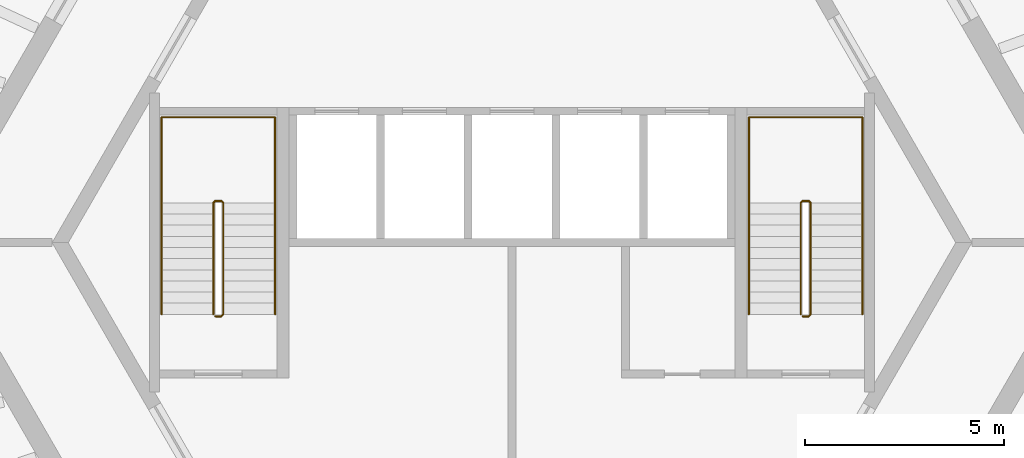
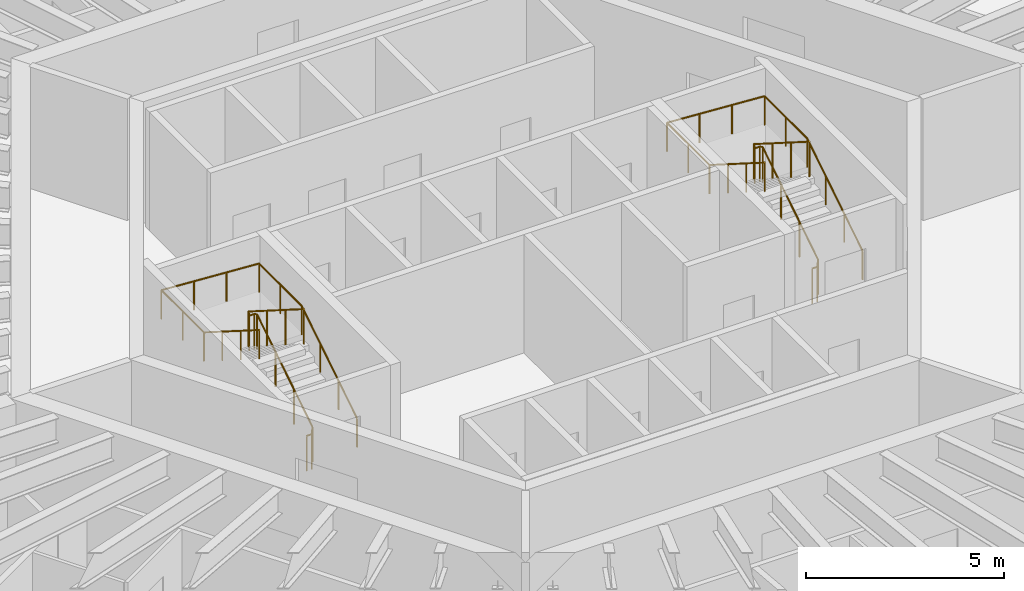
# One storey, part 10 of 10: 4 railings.
"""IFC4 building model written with IfcOpenShell, lengths in metres."""

from ifc_helpers import new_model, si_unit, direction, frame, origin, origin_2d, place, context, subcontext, project, spatial, circle, extrude, material, type_object, element, save


model = new_model("IFC4")

# Units and contexts
model_context = context("Model", 3, precision=1e-05, world=origin(), true_north=direction((0.0, 1.0)))
body_context = subcontext(model_context, "Body", "Model", "MODEL_VIEW")
ifc_project = project(units=[si_unit("LENGTHUNIT", "METRE"), si_unit("AREAUNIT", "SQUARE_METRE"), si_unit("VOLUMEUNIT", "CUBIC_METRE"), si_unit("PLANEANGLEUNIT", "RADIAN"), si_unit("MASSUNIT", "GRAM", prefix="KILO")], contexts=[model_context])

# Site, building, storey
site_placement = place(None, origin())
site = spatial("IfcSite", under=ifc_project, at=site_placement, CompositionType="ELEMENT")
building_placement = place(site_placement, origin())
building = spatial("IfcBuilding", under=site, at=building_placement, Name="Tarnside Tower", CompositionType="ELEMENT")
storey_placement = place(building_placement, frame((0.0, 0.0, 180.0)))
storey = spatial("IfcBuildingStorey", under=building, at=storey_placement, Name="L42", CompositionType="ELEMENT", Elevation=180.0)

# Railings
ifc_material = material(Name="Stainless steel", Category="steel")
railing_type_1 = type_object("IfcRailingType", Name="Stair guard 1100", PredefinedType="GUARDRAIL", material=ifc_material)
railing_1_placement = place(storey_placement, frame((7.300048828125, -1.85009765625, 0.0)))
element("IfcRailing", 1, at=railing_1_placement, inside=storey, type_object=railing_type_1, Name="L42 ST1 stair guard 1", PredefinedType="GUARDRAIL", context=body_context, shape_type="SweptSolid", body=[
    extrude(circle(Radius=0.02392578125, at=origin_2d()), frame((0.0, 0.0, 1.076171875), z_axis=(1.0, 0.0, 0.0), x_axis=(0.0, 1.0, 0.0)), (0.0, 0.0, 1.0), 0.14990234375),
    extrude(circle(Radius=0.02392578125, at=origin_2d()), frame((0.14990234375, 0.0, 1.076171875), z_axis=(0.262233686654, 0.262233686654, 0.928691007369), x_axis=(-0.707106781187, 0.707106781187, 0.0)), (0.0, 0.0, 1.0), 0.19091796875),
    extrude(circle(Radius=0.02392578125, at=origin_2d()), frame((0.199951171875, 0.050048828125, 1.25341796875), z_axis=(0.0, 0.844908973607, 0.534910110503), x_axis=(-1.0, 0.0, 0.0)), (0.0, 0.0, 1.0), 3.31396484375),
    extrude(circle(Radius=0.02392578125, at=origin_2d()), frame((0.199951171875, 2.85009765625, 3.02587890625), z_axis=(-0.707106781187, 0.707106781187, 0.0), x_axis=(-0.707106781187, -0.707106781187, 0.0)), (0.0, 0.0, 1.0), 0.07080078125),
    extrude(circle(Radius=0.02392578125, at=origin_2d()), frame((0.14990234375, 2.900146484375, 3.02587890625), z_axis=(-1.0, 0.0, 0.0), x_axis=(0.0, -1.0, 0.0)), (0.0, 0.0, 1.0), 0.14990234375),
    extrude(circle(Radius=0.02392578125, at=origin_2d()), frame((0.0, 2.900146484375, 3.02587890625), z_axis=(-0.262233686654, -0.262233686654, 0.928691007369), x_axis=(0.707106781187, -0.707106781187, 0.0)), (0.0, 0.0, 1.0), 0.19091796875),
    extrude(circle(Radius=0.02392578125, at=origin_2d()), frame((-0.050048828125, 2.85009765625, 3.203125), z_axis=(0.0, -0.844908973607, 0.534910110503), x_axis=(1.0, 0.0, 0.0)), (0.0, 0.0, 1.0), 3.31396484375),
    extrude(circle(Radius=0.02099609375, at=origin_2d()), origin(), (0.0, 0.0, 1.0), 1.052001953125),
    extrude(circle(Radius=0.02099609375, at=origin_2d()), frame((0.14990234375, 0.0, 0.0)), (0.0, 0.0, 1.0), 1.052001953125),
    extrude(circle(Radius=0.02099609375, at=origin_2d()), frame((0.199951171875, 0.050048828125, 0.17724609375)), (0.0, 0.0, 1.0), 1.052001953125),
    extrude(circle(Radius=0.02099609375, at=origin_2d()), frame((0.199951171875, 0.9833984375, 0.76806640625)), (0.0, 0.0, 1.0), 1.052001953125),
    extrude(circle(Radius=0.02099609375, at=origin_2d()), frame((0.199951171875, 1.916748046875, 1.359130859375)), (0.0, 0.0, 1.0), 1.052001953125),
    extrude(circle(Radius=0.02099609375, at=origin_2d()), frame((0.199951171875, 2.85009765625, 1.949951171875)), (0.0, 0.0, 1.0), 1.052001953125),
    extrude(circle(Radius=0.02099609375, at=origin_2d()), frame((0.14990234375, 2.900146484375, 1.949951171875)), (0.0, 0.0, 1.0), 1.052001953125),
    extrude(circle(Radius=0.02099609375, at=origin_2d()), frame((0.0, 2.900146484375, 1.949951171875)), (0.0, 0.0, 1.0), 1.052001953125),
    extrude(circle(Radius=0.02099609375, at=origin_2d()), frame((-0.050048828125, 2.85009765625, 2.127197265625)), (0.0, 0.0, 1.0), 1.052001953125),
    extrude(circle(Radius=0.02099609375, at=origin_2d()), frame((-0.050048828125, 1.916748046875, 2.718017578125)), (0.0, 0.0, 1.0), 1.052001953125),
    extrude(circle(Radius=0.02099609375, at=origin_2d()), frame((-0.050048828125, 0.9833984375, 3.30908203125)), (0.0, 0.0, 1.0), 1.052001953125),
    extrude(circle(Radius=0.02099609375, at=origin_2d()), frame((-0.050048828125, 0.050048828125, 3.89990234375)), (0.0, 0.0, 1.0), 1.052001953125),
])
railing_2_placement = place(storey_placement, frame((-7.449951171875, -1.85009765625, 0.0)))
element("IfcRailing", 2, at=railing_2_placement, inside=storey, type_object=railing_type_1, Name="L42 ST2 stair guard 1", PredefinedType="GUARDRAIL", context=body_context, shape_type="SweptSolid", body=[
    extrude(circle(Radius=0.02392578125, at=origin_2d()), frame((0.0, 0.0, 1.076171875), z_axis=(1.0, 0.0, 0.0), x_axis=(0.0, 1.0, 0.0)), (0.0, 0.0, 1.0), 0.14990234375),
    extrude(circle(Radius=0.02392578125, at=origin_2d()), frame((0.14990234375, 0.0, 1.076171875), z_axis=(0.262233686654, 0.262233686654, 0.928691007369), x_axis=(-0.707106781187, 0.707106781187, 0.0)), (0.0, 0.0, 1.0), 0.19091796875),
    extrude(circle(Radius=0.02392578125, at=origin_2d()), frame((0.199951171875, 0.050048828125, 1.25341796875), z_axis=(0.0, 0.844908973607, 0.534910110503), x_axis=(-1.0, 0.0, 0.0)), (0.0, 0.0, 1.0), 3.31396484375),
    extrude(circle(Radius=0.02392578125, at=origin_2d()), frame((0.199951171875, 2.85009765625, 3.02587890625), z_axis=(-0.707106781187, 0.707106781187, 0.0), x_axis=(-0.707106781187, -0.707106781187, 0.0)), (0.0, 0.0, 1.0), 0.07080078125),
    extrude(circle(Radius=0.02392578125, at=origin_2d()), frame((0.14990234375, 2.900146484375, 3.02587890625), z_axis=(-1.0, 0.0, 0.0), x_axis=(0.0, -1.0, 0.0)), (0.0, 0.0, 1.0), 0.14990234375),
    extrude(circle(Radius=0.02392578125, at=origin_2d()), frame((0.0, 2.900146484375, 3.02587890625), z_axis=(-0.262233686654, -0.262233686654, 0.928691007369), x_axis=(0.707106781187, -0.707106781187, 0.0)), (0.0, 0.0, 1.0), 0.19091796875),
    extrude(circle(Radius=0.02392578125, at=origin_2d()), frame((-0.050048828125, 2.85009765625, 3.203125), z_axis=(0.0, -0.844908973607, 0.534910110503), x_axis=(1.0, 0.0, 0.0)), (0.0, 0.0, 1.0), 3.31396484375),
    extrude(circle(Radius=0.02099609375, at=origin_2d()), origin(), (0.0, 0.0, 1.0), 1.052001953125),
    extrude(circle(Radius=0.02099609375, at=origin_2d()), frame((0.14990234375, 0.0, 0.0)), (0.0, 0.0, 1.0), 1.052001953125),
    extrude(circle(Radius=0.02099609375, at=origin_2d()), frame((0.199951171875, 0.050048828125, 0.17724609375)), (0.0, 0.0, 1.0), 1.052001953125),
    extrude(circle(Radius=0.02099609375, at=origin_2d()), frame((0.199951171875, 0.9833984375, 0.76806640625)), (0.0, 0.0, 1.0), 1.052001953125),
    extrude(circle(Radius=0.02099609375, at=origin_2d()), frame((0.199951171875, 1.916748046875, 1.359130859375)), (0.0, 0.0, 1.0), 1.052001953125),
    extrude(circle(Radius=0.02099609375, at=origin_2d()), frame((0.199951171875, 2.85009765625, 1.949951171875)), (0.0, 0.0, 1.0), 1.052001953125),
    extrude(circle(Radius=0.02099609375, at=origin_2d()), frame((0.14990234375, 2.900146484375, 1.949951171875)), (0.0, 0.0, 1.0), 1.052001953125),
    extrude(circle(Radius=0.02099609375, at=origin_2d()), frame((0.0, 2.900146484375, 1.949951171875)), (0.0, 0.0, 1.0), 1.052001953125),
    extrude(circle(Radius=0.02099609375, at=origin_2d()), frame((-0.050048828125, 2.85009765625, 2.127197265625)), (0.0, 0.0, 1.0), 1.052001953125),
    extrude(circle(Radius=0.02099609375, at=origin_2d()), frame((-0.050048828125, 1.916748046875, 2.718017578125)), (0.0, 0.0, 1.0), 1.052001953125),
    extrude(circle(Radius=0.02099609375, at=origin_2d()), frame((-0.050048828125, 0.9833984375, 3.30908203125)), (0.0, 0.0, 1.0), 1.052001953125),
    extrude(circle(Radius=0.02099609375, at=origin_2d()), frame((-0.050048828125, 0.050048828125, 3.89990234375)), (0.0, 0.0, 1.0), 1.052001953125),
])
railing_type_2 = type_object("IfcRailingType", Name="Stair handrail 900", PredefinedType="HANDRAIL", material=ifc_material)
railing_3_placement = place(storey_placement, frame((8.800048828125, -1.800048828125, 0.17724609375)))
element("IfcRailing", 3, at=railing_3_placement, inside=storey, type_object=railing_type_2, Name="L42 ST1 stair handrail 1", PredefinedType="HANDRAIL", context=body_context, shape_type="SweptSolid", body=[
    extrude(circle(Radius=0.02392578125, at=origin_2d()), frame((0.0, 0.0, 0.8857421875), z_axis=(0.0, 0.844908973607, 0.534910110503), x_axis=(-1.0, 0.0, 0.0)), (0.0, 0.0, 1.0), 3.31396484375),
    extrude(circle(Radius=0.02392578125, at=origin_2d()), frame((0.0, 2.800048828125, 2.65869140625), z_axis=(0.0, 1.0, 0.0), x_axis=(-1.0, 0.0, 0.0)), (0.0, 0.0, 1.0), 2.14990234375),
    extrude(circle(Radius=0.02392578125, at=origin_2d()), frame((0.0, 4.949951171875, 2.65869140625), z_axis=(-0.998071825391, 0.0, 0.06206956872), x_axis=(0.0, -1.0, 0.0)), (0.0, 0.0, 1.0), 2.855712890625),
    extrude(circle(Radius=0.02392578125, at=origin_2d()), frame((-2.85009765625, 4.949951171875, 2.8359375), z_axis=(0.0, -1.0, 0.0), x_axis=(1.0, 0.0, 0.0)), (0.0, 0.0, 1.0), 2.14990234375),
    extrude(circle(Radius=0.02392578125, at=origin_2d()), frame((-2.85009765625, 2.800048828125, 2.8359375), z_axis=(0.0, -0.844908973607, 0.534910110503), x_axis=(1.0, 0.0, 0.0)), (0.0, 0.0, 1.0), 3.31396484375),
    extrude(circle(Radius=0.02099609375, at=origin_2d()), origin(), (0.0, 0.0, 1.0), 0.86181640625),
    extrude(circle(Radius=0.02099609375, at=origin_2d()), frame((0.0, 0.933349609375, 0.5908203125)), (0.0, 0.0, 1.0), 0.86181640625),
    extrude(circle(Radius=0.02099609375, at=origin_2d()), frame((0.0, 1.86669921875, 1.181884765625)), (0.0, 0.0, 1.0), 0.86181640625),
    extrude(circle(Radius=0.02099609375, at=origin_2d()), frame((0.0, 2.800048828125, 1.772705078125)), (0.0, 0.0, 1.0), 0.86181640625),
    extrude(circle(Radius=0.02099609375, at=origin_2d()), frame((0.0, 3.875, 1.772705078125)), (0.0, 0.0, 1.0), 0.86181640625),
    extrude(circle(Radius=0.02099609375, at=origin_2d()), frame((0.0, 4.949951171875, 1.772705078125)), (0.0, 0.0, 1.0), 0.86181640625),
    extrude(circle(Radius=0.02099609375, at=origin_2d()), frame((-0.949951171875, 4.949951171875, 1.831787109375)), (0.0, 0.0, 1.0), 0.86181640625),
    extrude(circle(Radius=0.02099609375, at=origin_2d()), frame((-1.900146484375, 4.949951171875, 1.890869140625)), (0.0, 0.0, 1.0), 0.86181640625),
    extrude(circle(Radius=0.02099609375, at=origin_2d()), frame((-2.85009765625, 4.949951171875, 1.949951171875)), (0.0, 0.0, 1.0), 0.86181640625),
    extrude(circle(Radius=0.02099609375, at=origin_2d()), frame((-2.85009765625, 3.875, 1.949951171875)), (0.0, 0.0, 1.0), 0.86181640625),
    extrude(circle(Radius=0.02099609375, at=origin_2d()), frame((-2.85009765625, 2.800048828125, 1.949951171875)), (0.0, 0.0, 1.0), 0.86181640625),
    extrude(circle(Radius=0.02099609375, at=origin_2d()), frame((-2.85009765625, 1.86669921875, 2.540771484375)), (0.0, 0.0, 1.0), 0.86181640625),
    extrude(circle(Radius=0.02099609375, at=origin_2d()), frame((-2.85009765625, 0.933349609375, 3.1318359375)), (0.0, 0.0, 1.0), 0.86181640625),
    extrude(circle(Radius=0.02099609375, at=origin_2d()), frame((-2.85009765625, 0.0, 3.72265625)), (0.0, 0.0, 1.0), 0.86181640625),
])
railing_4_placement = place(storey_placement, frame((-5.949951171875, -1.800048828125, 0.17724609375)))
element("IfcRailing", 4, at=railing_4_placement, inside=storey, type_object=railing_type_2, Name="L42 ST2 stair handrail 1", PredefinedType="HANDRAIL", context=body_context, shape_type="SweptSolid", body=[
    extrude(circle(Radius=0.02392578125, at=origin_2d()), frame((0.0, 0.0, 0.8857421875), z_axis=(0.0, 0.844908973607, 0.534910110503), x_axis=(-1.0, 0.0, 0.0)), (0.0, 0.0, 1.0), 3.31396484375),
    extrude(circle(Radius=0.02392578125, at=origin_2d()), frame((0.0, 2.800048828125, 2.65869140625), z_axis=(0.0, 1.0, 0.0), x_axis=(-1.0, 0.0, 0.0)), (0.0, 0.0, 1.0), 2.14990234375),
    extrude(circle(Radius=0.02392578125, at=origin_2d()), frame((0.0, 4.949951171875, 2.65869140625), z_axis=(-0.998071825391, 0.0, 0.06206956872), x_axis=(0.0, -1.0, 0.0)), (0.0, 0.0, 1.0), 2.855712890625),
    extrude(circle(Radius=0.02392578125, at=origin_2d()), frame((-2.85009765625, 4.949951171875, 2.8359375), z_axis=(0.0, -1.0, 0.0), x_axis=(1.0, 0.0, 0.0)), (0.0, 0.0, 1.0), 2.14990234375),
    extrude(circle(Radius=0.02392578125, at=origin_2d()), frame((-2.85009765625, 2.800048828125, 2.8359375), z_axis=(0.0, -0.844908973607, 0.534910110503), x_axis=(1.0, 0.0, 0.0)), (0.0, 0.0, 1.0), 3.31396484375),
    extrude(circle(Radius=0.02099609375, at=origin_2d()), origin(), (0.0, 0.0, 1.0), 0.86181640625),
    extrude(circle(Radius=0.02099609375, at=origin_2d()), frame((0.0, 0.933349609375, 0.5908203125)), (0.0, 0.0, 1.0), 0.86181640625),
    extrude(circle(Radius=0.02099609375, at=origin_2d()), frame((0.0, 1.86669921875, 1.181884765625)), (0.0, 0.0, 1.0), 0.86181640625),
    extrude(circle(Radius=0.02099609375, at=origin_2d()), frame((0.0, 2.800048828125, 1.772705078125)), (0.0, 0.0, 1.0), 0.86181640625),
    extrude(circle(Radius=0.02099609375, at=origin_2d()), frame((0.0, 3.875, 1.772705078125)), (0.0, 0.0, 1.0), 0.86181640625),
    extrude(circle(Radius=0.02099609375, at=origin_2d()), frame((0.0, 4.949951171875, 1.772705078125)), (0.0, 0.0, 1.0), 0.86181640625),
    extrude(circle(Radius=0.02099609375, at=origin_2d()), frame((-0.949951171875, 4.949951171875, 1.831787109375)), (0.0, 0.0, 1.0), 0.86181640625),
    extrude(circle(Radius=0.02099609375, at=origin_2d()), frame((-1.900146484375, 4.949951171875, 1.890869140625)), (0.0, 0.0, 1.0), 0.86181640625),
    extrude(circle(Radius=0.02099609375, at=origin_2d()), frame((-2.85009765625, 4.949951171875, 1.949951171875)), (0.0, 0.0, 1.0), 0.86181640625),
    extrude(circle(Radius=0.02099609375, at=origin_2d()), frame((-2.85009765625, 3.875, 1.949951171875)), (0.0, 0.0, 1.0), 0.86181640625),
    extrude(circle(Radius=0.02099609375, at=origin_2d()), frame((-2.85009765625, 2.800048828125, 1.949951171875)), (0.0, 0.0, 1.0), 0.86181640625),
    extrude(circle(Radius=0.02099609375, at=origin_2d()), frame((-2.85009765625, 1.86669921875, 2.540771484375)), (0.0, 0.0, 1.0), 0.86181640625),
    extrude(circle(Radius=0.02099609375, at=origin_2d()), frame((-2.85009765625, 0.933349609375, 3.1318359375)), (0.0, 0.0, 1.0), 0.86181640625),
    extrude(circle(Radius=0.02099609375, at=origin_2d()), frame((-2.85009765625, 0.0, 3.72265625)), (0.0, 0.0, 1.0), 0.86181640625),
])

save(model, "model.ifc")
